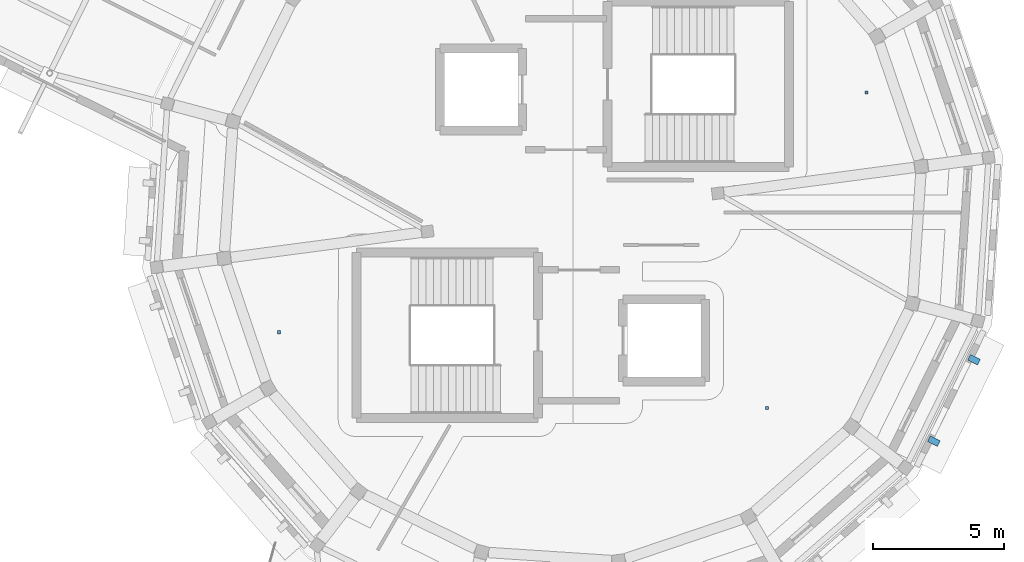
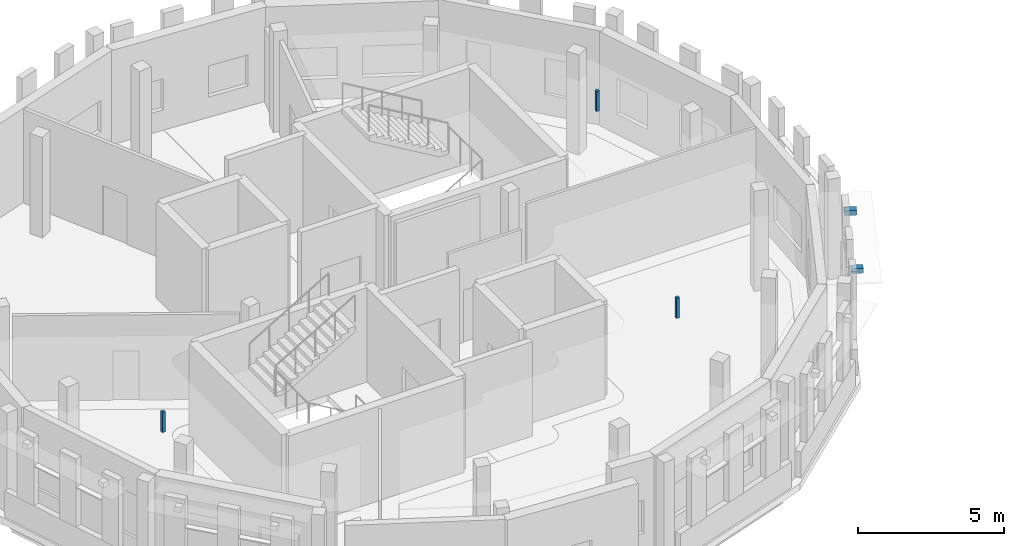
# One storey, part 62 of 68: 5 discrete accessories.
"""IFC4 building model written with IfcOpenShell, lengths in metres."""

from ifc_helpers import new_model, si_unit, direction, frame, origin, origin_2d, place, context, subcontext, project, spatial, rectangle, extrude, material, type_object, element, save


model = new_model("IFC4")

# Units and contexts
model_context = context("Model", 3, precision=1e-05, world=origin(), true_north=direction((0.0, 1.0)))
body_context = subcontext(model_context, "Body", "Model", "MODEL_VIEW")
ifc_project = project(units=[si_unit("LENGTHUNIT", "METRE"), si_unit("AREAUNIT", "SQUARE_METRE"), si_unit("VOLUMEUNIT", "CUBIC_METRE"), si_unit("PLANEANGLEUNIT", "RADIAN"), si_unit("MASSUNIT", "GRAM", prefix="KILO")], contexts=[model_context])

# Site, building, storey
site_placement = place(None, origin())
site = spatial("IfcSite", under=ifc_project, at=site_placement, CompositionType="ELEMENT")
building_placement = place(site_placement, origin())
building = spatial("IfcBuilding", under=site, at=building_placement, Name="Wrenclough Park School", CompositionType="ELEMENT")
storey_placement = place(building_placement, frame((0.0, 0.0, 12.60009765625)))
storey = spatial("IfcBuildingStorey", under=building, at=storey_placement, Name="L03", CompositionType="ELEMENT", Elevation=12.60009765625)

# Discrete accessories
ifc_material_1 = material(Name="Austenitic stainless steel Grade 1.4401", Category="steel")
discrete_accessory_type_1 = type_object("IfcDiscreteAccessoryType", Name="ENV-BRK-01", PredefinedType="BRACKET", material=ifc_material_1)
for number, where, z_axis, x_axis, name in (
    (1, (188.316650390625, 84.751708984375, 3.5400390625), (0.0, 0.0, 1.0), (0.442288863799, 0.896872655932, 0.0), "Brise-soleil stainless outrigger bracket 0235"),
    (2, (189.851318359375, 87.863525390625, 3.5400390625), (0.0, 0.0, 1.0), (0.442288863799, 0.896872655932, 0.0), "Brise-soleil stainless outrigger bracket 0236"),
):
    element("IfcDiscreteAccessory", number, at=place(storey_placement, frame(where, z_axis=z_axis, x_axis=x_axis)), inside=storey, type_object=discrete_accessory_type_1, Name=name, PredefinedType="BRACKET", context=body_context, shape_type="SweptSolid", body=[
        extrude(rectangle(XDim=0.239990234375, YDim=0.419921875, at=origin_2d()), origin(), (0.0, 0.0, 1.0), 0.199951171875),
    ])
ifc_material_2 = material(Name="Galvanised steel acoustic ceiling suspension hanger", Category="steel")
discrete_accessory_type_2 = type_object("IfcDiscreteAccessoryType", Name="INT-BRK-HGR", PredefinedType="BRACKET", material=ifc_material_2)
for number, where, z_axis, x_axis, name in (
    (3, (181.93310546875, 86.0166015625, 3.08984375), (0.0, 0.0, 1.0), (1.0, 0.0, 0.0), "Acoustic ceiling hanger bracket 0078"),
    (4, (185.73291015625, 98.081787109375, 3.08984375), (0.0, 0.0, 1.0), (1.0, 0.0, 0.0), "Acoustic ceiling hanger bracket 0079"),
    (5, (163.26708984375, 88.918212890625, 3.08984375), (0.0, 0.0, 1.0), (1.0, 0.0, 0.0), "Acoustic ceiling hanger bracket 0080"),
):
    element("IfcDiscreteAccessory", number, at=place(storey_placement, frame(where, z_axis=z_axis, x_axis=x_axis)), inside=storey, type_object=discrete_accessory_type_2, Name=name, PredefinedType="BRACKET", context=body_context, shape_type="SweptSolid", body=[
        extrude(rectangle(XDim=0.1201171875, YDim=0.1201171875, at=origin_2d()), origin(), (0.0, 0.0, 1.0), 0.85009765625),
    ])

save(model, "model.ifc")
